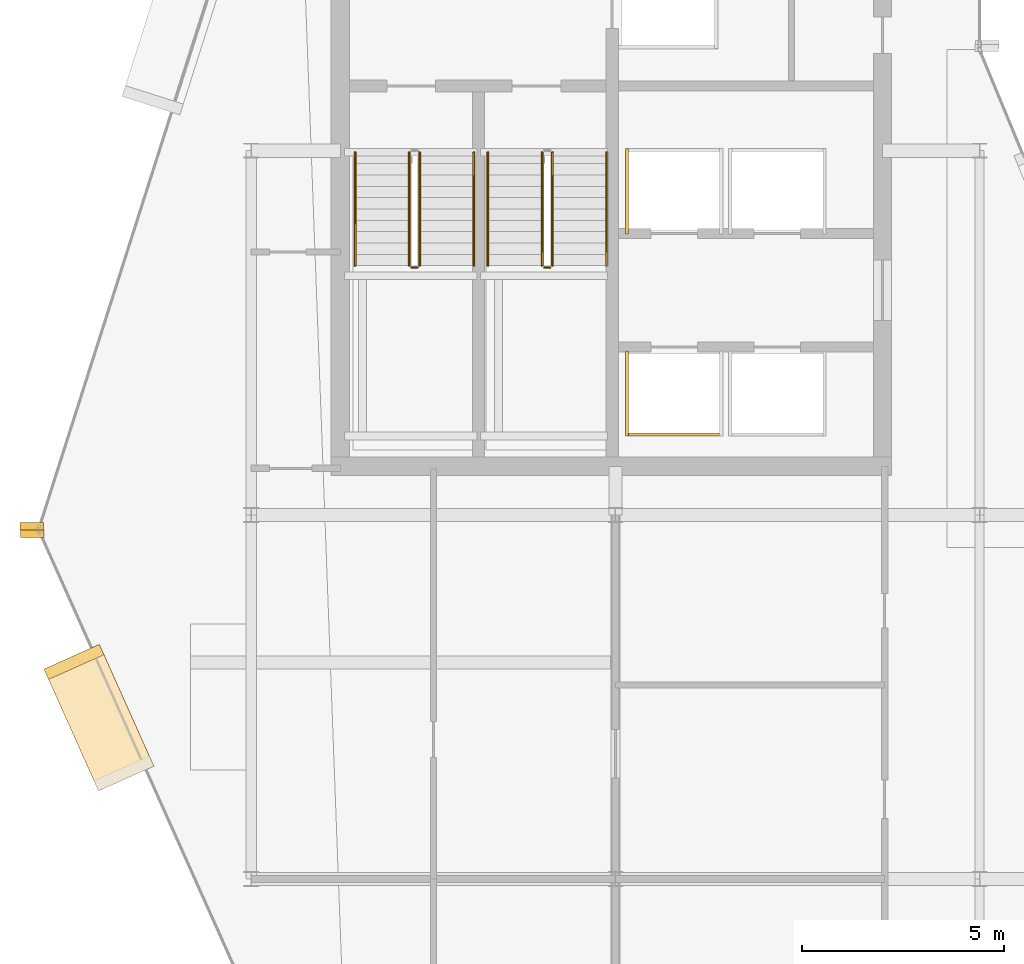
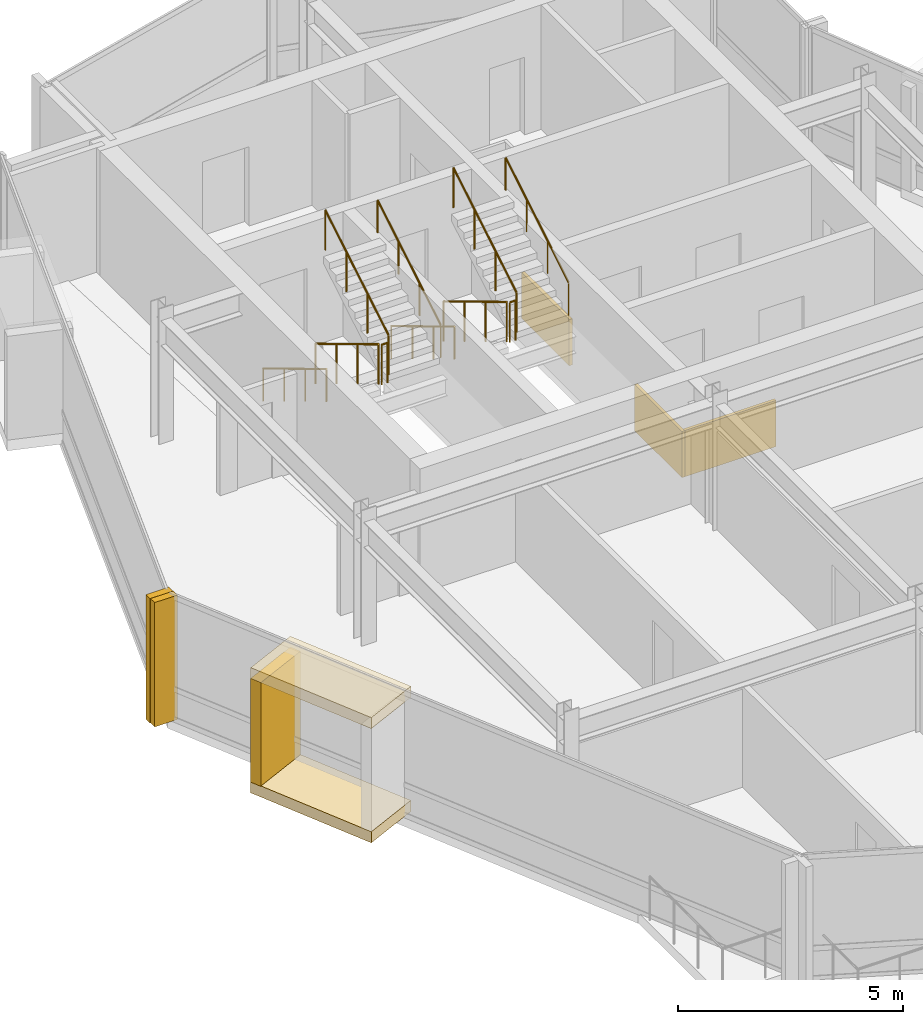
# One storey, part 17 of 19: 10 railings, 8 coverings.
"""IFC4 building model written with IfcOpenShell, lengths in metres."""

from ifc_helpers import new_model, si_unit, direction, frame, origin, origin_2d, place, context, subcontext, project, spatial, rectangle, circle, extrude, material, layer, layer_set, type_object, element, save


model = new_model("IFC4")

# Units and contexts
model_context = context("Model", 3, precision=1e-05, world=origin(), true_north=direction((0.0, 1.0)))
body_context = subcontext(model_context, "Body", "Model", "MODEL_VIEW")
ifc_project = project(units=[si_unit("LENGTHUNIT", "METRE"), si_unit("AREAUNIT", "SQUARE_METRE"), si_unit("VOLUMEUNIT", "CUBIC_METRE"), si_unit("PLANEANGLEUNIT", "RADIAN"), si_unit("MASSUNIT", "GRAM", prefix="KILO")], contexts=[model_context])

# Site, building, storey
site_placement = place(None, origin())
site = spatial("IfcSite", under=ifc_project, at=site_placement, CompositionType="ELEMENT")
building_placement = place(site_placement, origin())
building = spatial("IfcBuilding", under=site, at=building_placement, Name="Solvaryn Broadcast Tower", CompositionType="ELEMENT")
storey_placement = place(building_placement, frame((0.0, 0.0, 293.699951171875)))
storey = spatial("IfcBuildingStorey", under=building, at=storey_placement, Name="L74", CompositionType="ELEMENT", Elevation=293.699951171875)

# Coverings
ifc_material_1 = material(Name="Fire-Rated Gypsum Shaftwall Liner", Category="concrete")
ifc_layer_1 = layer(ifc_material_1, 0.080078125)
ifc_layer_set_1 = layer_set([ifc_layer_1], Name="CV-SHAFT-LINER")
covering_type_1 = type_object("IfcCoveringType", Name="CV-SHAFT-LINER", PredefinedType="CLADDING", material=ifc_layer_set_1)
covering_1_placement = place(storey_placement, frame((19.449951171875, 28.985107421875, 0.0), z_axis=(0.0, 0.0, 1.0), x_axis=(1.0, 0.0, 0.0)))
element("IfcCovering", 1, at=covering_1_placement, inside=storey, type_object=covering_type_1, Name="L74 PH1 Hoistway Shaft Liner South", PredefinedType="CLADDING", context=body_context, shape_type="SweptSolid", body=[
    extrude(rectangle(XDim=2.409912109375, YDim=0.080078125, at=origin_2d()), origin(), (0.0, 0.0, 1.0), 1.25),
])
for number, where, z_axis, x_axis, name in (
    (2, (18.284912109375, 30.0, 0.0), (0.0, 0.0, 1.0), (1.0, 0.0, 0.0), "L74 PH1 Hoistway Shaft Liner West"),
    (3, (18.284912109375, 35.0, 0.0), (0.0, 0.0, 1.0), (1.0, 0.0, 0.0), "L74 PH3 Hoistway Shaft Liner West"),
):
    element("IfcCovering", number, at=place(storey_placement, frame(where, z_axis=z_axis, x_axis=x_axis)), inside=storey, type_object=covering_type_1, Name=name, PredefinedType="CLADDING", context=body_context, shape_type="SweptSolid", body=[
        extrude(rectangle(XDim=0.080078125, YDim=2.110107421875, at=origin_2d()), origin(), (0.0, 0.0, 1.0), 1.25),
    ])
ifc_material_2 = material(Name="Glazed Architectural Terracotta Rainscreen Cladding", Category="masonry")
ifc_layer_2 = layer(ifc_material_2, 0.280029296875)
ifc_layer_set_2 = layer_set([ifc_layer_2], Name="CV-TC-CLAD")
covering_type_2 = type_object("IfcCoveringType", Name="CV-TC-CLAD", PredefinedType="CLADDING", material=ifc_layer_set_2)
for number, where, z_axis, x_axis, name in (
    (4, (5.236083984375, 21.989990234375, 3.080078125), (0.0, 0.0, 1.0), (0.408489773781, -0.91276289622, 0.0), "L74 Projecting Stone Window Box Hood 2"),
    (5, (5.236083984375, 21.989990234375, -0.009765625), (0.0, 0.0, 1.0), (0.408489773781, -0.91276289622, 0.0), "L74 Projecting Stone Window Box Sill 2"),
):
    element("IfcCovering", number, at=place(storey_placement, frame(where, z_axis=z_axis, x_axis=x_axis)), inside=storey, type_object=covering_type_2, Name=name, PredefinedType="CLADDING", context=body_context, shape_type="SweptSolid", body=[
        extrude(rectangle(XDim=3.300048828125, YDim=1.5, at=origin_2d()), origin(), (0.0, 0.0, 1.0), 0.300048828125),
    ])
covering_2_placement = place(storey_placement, frame((4.619140625, 23.368408203125, 0.280029296875), z_axis=(0.0, 0.0, 1.0), x_axis=(0.408489773781, -0.91276289622, 0.0)))
element("IfcCovering", 6, at=covering_2_placement, inside=storey, type_object=covering_type_2, Name="L74 Projecting Stone Window Box Cheek 2-1", PredefinedType="CLADDING", context=body_context, shape_type="SweptSolid", body=[
    extrude(rectangle(XDim=0.280029296875, YDim=1.5, at=origin_2d()), origin(), (0.0, 0.0, 1.0), 2.81005859375),
])
ifc_material_3 = material(Name="Extruded Architectural Terracotta Fin", Category="masonry")
ifc_layer_3 = layer(ifc_material_3, 0.179931640625)
ifc_layer_set_3 = layer_set([ifc_layer_3], Name="CV-TC-FIN")
covering_type_3 = type_object("IfcCoveringType", Name="CV-TC-FIN", PredefinedType="USERDEFINED", material=ifc_layer_set_3)
for number, where, z_axis, x_axis, name in (
    (7, (3.575439453125, 26.71923828125, 0.0), (0.0, 0.0, 1.0), (1.0, 0.0, 0.0), "L74 Terracotta Vertical Fin FIN-L74-DR1-M01"),
    (8, (3.5859375, 26.53515625, 0.0), (0.0, 0.0, 1.0), (1.0, 0.0, 0.0), "L74 Terracotta Vertical Fin FIN-L74-DR2-M00"),
):
    element("IfcCovering", number, at=place(storey_placement, frame(where, z_axis=z_axis, x_axis=x_axis)), inside=storey, type_object=covering_type_3, Name=name, ObjectType="FIN", PredefinedType="USERDEFINED", context=body_context, shape_type="SweptSolid", body=[
        extrude(rectangle(XDim=0.580078125, YDim=0.179931640625, at=origin_2d()), origin(), (0.0, 0.0, 1.0), 3.3701171875),
    ])

# Railings
ifc_material_4 = material(Name="Painted Steel Stair Well Guard", Category="steel")
railing_type_1 = type_object("IfcRailingType", Name="RL-STAIR-GUARD", PredefinedType="BALUSTRADE", material=ifc_material_4)
railing_1_placement = place(storey_placement, frame((12.909912109375, 35.9599609375, 0.168212890625)))
element("IfcRailing", 9, at=railing_1_placement, inside=storey, type_object=railing_type_1, Name="L74 ST1 stair guard 1", PredefinedType="BALUSTRADE", context=body_context, shape_type="SweptSolid", body=[
    extrude(circle(Radius=0.02392578125, at=origin_2d()), frame((0.0, 0.0, 1.076171875), z_axis=(0.0, -0.857242210791, 0.514913383045), x_axis=(1.0, 0.0, 0.0)), (0.0, 0.0, 1.0), 3.266357421875),
    extrude(circle(Radius=0.02099609375, at=origin_2d()), origin(), (0.0, 0.0, 1.0), 1.052001953125),
    extrude(circle(Radius=0.02099609375, at=origin_2d()), frame((0.0, -0.933349609375, 0.560546875)), (0.0, 0.0, 1.0), 1.052001953125),
    extrude(circle(Radius=0.02099609375, at=origin_2d()), frame((0.0, -1.86669921875, 1.121337890625)), (0.0, 0.0, 1.0), 1.052001953125),
    extrude(circle(Radius=0.02099609375, at=origin_2d()), frame((0.0, -2.800048828125, 1.681884765625)), (0.0, 0.0, 1.0), 1.052001953125),
])
railing_2_placement = place(storey_placement, frame((12.9599609375, 33.110107421875, 1.85009765625)))
element("IfcRailing", 10, at=railing_2_placement, inside=storey, type_object=railing_type_1, Name="L74 ST1 stair guard 2", PredefinedType="BALUSTRADE", context=body_context, shape_type="SweptSolid", body=[
    extrude(circle(Radius=0.02392578125, at=origin_2d()), frame((0.0, 0.0, 1.076171875), z_axis=(1.0, 0.0, 0.0), x_axis=(0.0, 1.0, 0.0)), (0.0, 0.0, 1.0), 0.150146484375),
    extrude(circle(Radius=0.02099609375, at=origin_2d()), origin(), (0.0, 0.0, 1.0), 1.052001953125),
    extrude(circle(Radius=0.02099609375, at=origin_2d()), frame((0.150146484375, 0.0, 0.0)), (0.0, 0.0, 1.0), 1.052001953125),
])
railing_3_placement = place(storey_placement, frame((13.159912109375, 33.159912109375, 2.018310546875)))
element("IfcRailing", 11, at=railing_3_placement, inside=storey, type_object=railing_type_1, Name="L74 ST1 stair guard 3", PredefinedType="BALUSTRADE", context=body_context, shape_type="SweptSolid", body=[
    extrude(circle(Radius=0.02392578125, at=origin_2d()), frame((0.0, 0.0, 1.076171875), z_axis=(0.0, 0.857275202839, 0.514858452973), x_axis=(-1.0, 0.0, 0.0)), (0.0, 0.0, 1.0), 3.26611328125),
    extrude(circle(Radius=0.02099609375, at=origin_2d()), origin(), (0.0, 0.0, 1.0), 1.052001953125),
    extrude(circle(Radius=0.02099609375, at=origin_2d()), frame((0.0, 0.933349609375, 0.560546875)), (0.0, 0.0, 1.0), 1.052001953125),
    extrude(circle(Radius=0.02099609375, at=origin_2d()), frame((0.0, 1.86669921875, 1.12109375)), (0.0, 0.0, 1.0), 1.052001953125),
    extrude(circle(Radius=0.02099609375, at=origin_2d()), frame((0.0, 2.800048828125, 1.681640625)), (0.0, 0.0, 1.0), 1.052001953125),
])
railing_4_placement = place(storey_placement, frame((16.18994140625, 35.9599609375, 0.168212890625)))
element("IfcRailing", 12, at=railing_4_placement, inside=storey, type_object=railing_type_1, Name="L74 ST2 stair guard 1", PredefinedType="BALUSTRADE", context=body_context, shape_type="SweptSolid", body=[
    extrude(circle(Radius=0.02392578125, at=origin_2d()), frame((0.0, 0.0, 1.076171875), z_axis=(0.0, -0.857242210791, 0.514913383045), x_axis=(1.0, 0.0, 0.0)), (0.0, 0.0, 1.0), 3.266357421875),
    extrude(circle(Radius=0.02099609375, at=origin_2d()), origin(), (0.0, 0.0, 1.0), 1.052001953125),
    extrude(circle(Radius=0.02099609375, at=origin_2d()), frame((0.0, -0.933349609375, 0.560546875)), (0.0, 0.0, 1.0), 1.052001953125),
    extrude(circle(Radius=0.02099609375, at=origin_2d()), frame((0.0, -1.86669921875, 1.121337890625)), (0.0, 0.0, 1.0), 1.052001953125),
    extrude(circle(Radius=0.02099609375, at=origin_2d()), frame((0.0, -2.800048828125, 1.681884765625)), (0.0, 0.0, 1.0), 1.052001953125),
])
railing_5_placement = place(storey_placement, frame((16.239990234375, 33.110107421875, 1.85009765625)))
element("IfcRailing", 13, at=railing_5_placement, inside=storey, type_object=railing_type_1, Name="L74 ST2 stair guard 2", PredefinedType="BALUSTRADE", context=body_context, shape_type="SweptSolid", body=[
    extrude(circle(Radius=0.02392578125, at=origin_2d()), frame((0.0, 0.0, 1.076171875), z_axis=(1.0, 0.0, 0.0), x_axis=(0.0, 1.0, 0.0)), (0.0, 0.0, 1.0), 0.14990234375),
    extrude(circle(Radius=0.02099609375, at=origin_2d()), origin(), (0.0, 0.0, 1.0), 1.052001953125),
    extrude(circle(Radius=0.02099609375, at=origin_2d()), frame((0.14990234375, 0.0, 0.0)), (0.0, 0.0, 1.0), 1.052001953125),
])
railing_6_placement = place(storey_placement, frame((16.43994140625, 33.159912109375, 2.018310546875)))
element("IfcRailing", 14, at=railing_6_placement, inside=storey, type_object=railing_type_1, Name="L74 ST2 stair guard 3", PredefinedType="BALUSTRADE", context=body_context, shape_type="SweptSolid", body=[
    extrude(circle(Radius=0.02392578125, at=origin_2d()), frame((0.0, 0.0, 1.076171875), z_axis=(0.0, 0.857275202839, 0.514858452973), x_axis=(-1.0, 0.0, 0.0)), (0.0, 0.0, 1.0), 3.26611328125),
    extrude(circle(Radius=0.02099609375, at=origin_2d()), origin(), (0.0, 0.0, 1.0), 1.052001953125),
    extrude(circle(Radius=0.02099609375, at=origin_2d()), frame((0.0, 0.933349609375, 0.560546875)), (0.0, 0.0, 1.0), 1.052001953125),
    extrude(circle(Radius=0.02099609375, at=origin_2d()), frame((0.0, 1.86669921875, 1.12109375)), (0.0, 0.0, 1.0), 1.052001953125),
    extrude(circle(Radius=0.02099609375, at=origin_2d()), frame((0.0, 2.800048828125, 1.681640625)), (0.0, 0.0, 1.0), 1.052001953125),
])
ifc_material_5 = material(Name="Brushed Stainless Steel Tubular Handrail", Category="steel")
railing_type_2 = type_object("IfcRailingType", Name="RL-STAIR-HANDRAIL", PredefinedType="HANDRAIL", material=ifc_material_5)
railing_7_placement = place(storey_placement, frame((11.570068359375, 35.9599609375, 0.168212890625)))
element("IfcRailing", 15, at=railing_7_placement, inside=storey, type_object=railing_type_2, Name="L74 ST1 stair handrail 1", PredefinedType="HANDRAIL", context=body_context, shape_type="SweptSolid", body=[
    extrude(circle(Radius=0.02392578125, at=origin_2d()), frame((0.0, 0.0, 0.8759765625), z_axis=(0.0, -0.857242210791, 0.514913383045), x_axis=(1.0, 0.0, 0.0)), (0.0, 0.0, 1.0), 3.266357421875),
    extrude(circle(Radius=0.02099609375, at=origin_2d()), origin(), (0.0, 0.0, 1.0), 0.851806640625),
    extrude(circle(Radius=0.02099609375, at=origin_2d()), frame((0.0, -0.933349609375, 0.560546875)), (0.0, 0.0, 1.0), 0.851806640625),
    extrude(circle(Radius=0.02099609375, at=origin_2d()), frame((0.0, -1.86669921875, 1.121337890625)), (0.0, 0.0, 1.0), 0.851806640625),
    extrude(circle(Radius=0.02099609375, at=origin_2d()), frame((0.0, -2.800048828125, 1.681884765625)), (0.0, 0.0, 1.0), 0.851806640625),
])
railing_8_placement = place(storey_placement, frame((14.5, 33.159912109375, 2.018310546875)))
element("IfcRailing", 16, at=railing_8_placement, inside=storey, type_object=railing_type_2, Name="L74 ST1 stair handrail 2", PredefinedType="HANDRAIL", context=body_context, shape_type="SweptSolid", body=[
    extrude(circle(Radius=0.02392578125, at=origin_2d()), frame((0.0, 0.0, 0.8759765625), z_axis=(0.0, 0.857275202839, 0.514858452973), x_axis=(-1.0, 0.0, 0.0)), (0.0, 0.0, 1.0), 3.26611328125),
    extrude(circle(Radius=0.02099609375, at=origin_2d()), origin(), (0.0, 0.0, 1.0), 0.851806640625),
    extrude(circle(Radius=0.02099609375, at=origin_2d()), frame((0.0, 0.933349609375, 0.560546875)), (0.0, 0.0, 1.0), 0.851806640625),
    extrude(circle(Radius=0.02099609375, at=origin_2d()), frame((0.0, 1.86669921875, 1.12109375)), (0.0, 0.0, 1.0), 0.851806640625),
    extrude(circle(Radius=0.02099609375, at=origin_2d()), frame((0.0, 2.800048828125, 1.681640625)), (0.0, 0.0, 1.0), 0.851806640625),
])
railing_9_placement = place(storey_placement, frame((14.85009765625, 35.9599609375, 0.168212890625)))
element("IfcRailing", 17, at=railing_9_placement, inside=storey, type_object=railing_type_2, Name="L74 ST2 stair handrail 1", PredefinedType="HANDRAIL", context=body_context, shape_type="SweptSolid", body=[
    extrude(circle(Radius=0.02392578125, at=origin_2d()), frame((0.0, 0.0, 0.8759765625), z_axis=(0.0, -0.857242210791, 0.514913383045), x_axis=(1.0, 0.0, 0.0)), (0.0, 0.0, 1.0), 3.266357421875),
    extrude(circle(Radius=0.02099609375, at=origin_2d()), origin(), (0.0, 0.0, 1.0), 0.851806640625),
    extrude(circle(Radius=0.02099609375, at=origin_2d()), frame((0.0, -0.933349609375, 0.560546875)), (0.0, 0.0, 1.0), 0.851806640625),
    extrude(circle(Radius=0.02099609375, at=origin_2d()), frame((0.0, -1.86669921875, 1.121337890625)), (0.0, 0.0, 1.0), 0.851806640625),
    extrude(circle(Radius=0.02099609375, at=origin_2d()), frame((0.0, -2.800048828125, 1.681884765625)), (0.0, 0.0, 1.0), 0.851806640625),
])
railing_10_placement = place(storey_placement, frame((17.780029296875, 33.159912109375, 2.018310546875)))
element("IfcRailing", 18, at=railing_10_placement, inside=storey, type_object=railing_type_2, Name="L74 ST2 stair handrail 2", PredefinedType="HANDRAIL", context=body_context, shape_type="SweptSolid", body=[
    extrude(circle(Radius=0.02392578125, at=origin_2d()), frame((0.0, 0.0, 0.8759765625), z_axis=(0.0, 0.857275202839, 0.514858452973), x_axis=(-1.0, 0.0, 0.0)), (0.0, 0.0, 1.0), 3.26611328125),
    extrude(circle(Radius=0.02099609375, at=origin_2d()), origin(), (0.0, 0.0, 1.0), 0.851806640625),
    extrude(circle(Radius=0.02099609375, at=origin_2d()), frame((0.0, 0.933349609375, 0.560546875)), (0.0, 0.0, 1.0), 0.851806640625),
    extrude(circle(Radius=0.02099609375, at=origin_2d()), frame((0.0, 1.86669921875, 1.12109375)), (0.0, 0.0, 1.0), 0.851806640625),
    extrude(circle(Radius=0.02099609375, at=origin_2d()), frame((0.0, 2.800048828125, 1.681640625)), (0.0, 0.0, 1.0), 0.851806640625),
])

save(model, "model.ifc")
